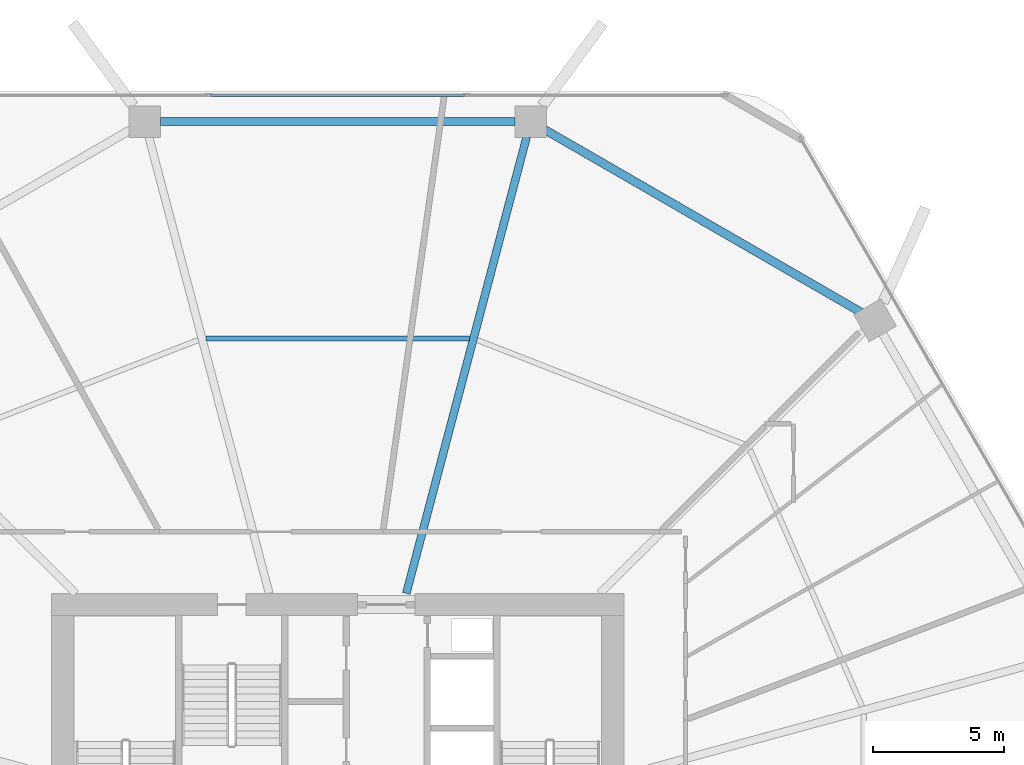
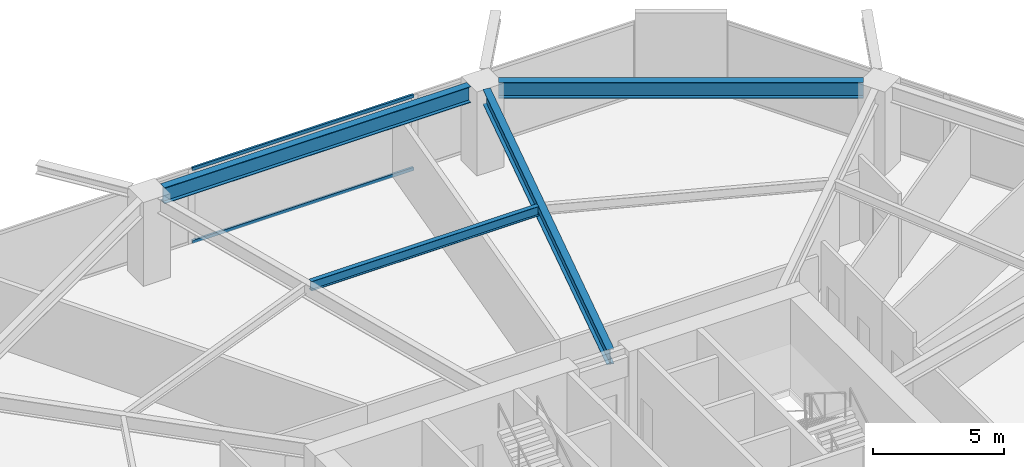
# One storey, part 18 of 25: 4 beams, 2 members, 1 element without a shape of its own.
"""IFC4 building model written with IfcOpenShell, lengths in metres."""

from ifc_helpers import new_model, si_unit, direction, frame, origin, origin_2d, place, context, subcontext, project, spatial, hollow_rectangle, i_section, extrude, material, material_profile, profile_set, type_object, element, aggregate, save


model = new_model("IFC4")

# Units and contexts
model_context = context("Model", 3, precision=1e-05, world=origin(), true_north=direction((0.0, 1.0)))
body_context = subcontext(model_context, "Body", "Model", "MODEL_VIEW")
ifc_project = project(units=[si_unit("LENGTHUNIT", "METRE"), si_unit("AREAUNIT", "SQUARE_METRE"), si_unit("VOLUMEUNIT", "CUBIC_METRE"), si_unit("PLANEANGLEUNIT", "RADIAN"), si_unit("MASSUNIT", "GRAM", prefix="KILO")], contexts=[model_context])

# Site, building, storey
site_placement = place(None, origin())
site = spatial("IfcSite", under=ifc_project, at=site_placement, CompositionType="ELEMENT")
building_placement = place(site_placement, origin())
building = spatial("IfcBuilding", under=site, at=building_placement, Name="Zuhravey Tower", CompositionType="ELEMENT")
storey_placement = place(building_placement, frame((0.0, 0.0, 20.39990234375)))
storey = spatial("IfcBuildingStorey", under=building, at=storey_placement, Name="L05", CompositionType="ELEMENT", Elevation=20.39990234375)

# Curtain wall, members
ifc_material_1 = material(Name="Thermally broken anodised aluminium", Category="aluminium")
curtain_wall_type = type_object("IfcCurtainWallType", Name="School Low-E Unitised Curtain Wall CW1", PredefinedType="NOTDEFINED", material=ifc_material_1)
curtain_wall_placement = place(storey_placement, origin())
curtain_wall = element("IfcCurtainWall", 1, at=curtain_wall_placement, inside=storey, type_object=curtain_wall_type, Name="L05 CW1 CW-L05-F2-1", PredefinedType="NOTDEFINED")
ifc_material_2 = material(Name="Anodised aluminium", Category="aluminium")
ifc_material_profile_1 = material_profile(ifc_material_2, hollow_rectangle(XDim=0.090087890625, YDim=0.14990234375, WallThickness=0.0048828125, at=origin_2d()), Name="ALU-RHS-90x150x5")
ifc_profile_set_1 = profile_set([ifc_material_profile_1], Name="Anodised aluminium")
member_type = type_object("IfcMemberType", Name="Curtain-Wall Transom 90x150", PredefinedType="USERDEFINED", material=ifc_profile_set_1)
member_1_placement = place(storey_placement, frame((31.11181640625, 60.95849609375, 0.045166015625), z_axis=(1.0, 0.0, 0.0), x_axis=(0.0, 1.0, 0.0)))
member_1 = element("IfcMember", 2, at=member_1_placement, type_object=member_type, Name="CW1 transom 2.1", ObjectType="TRANSOM", PredefinedType="USERDEFINED", context=body_context, shape_type="SweptSolid", body=[
    extrude(hollow_rectangle(XDim=0.090087890625, YDim=0.14990234375, WallThickness=0.0048828125, at=origin_2d()), origin(), (0.0, 0.0, 1.0), 9.7763671875),
])
member_2_placement = place(storey_placement, frame((31.11181640625, 60.95849609375, 3.447021484375), z_axis=(1.0, 0.0, 0.0), x_axis=(0.0, 1.0, 0.0)))
member_2 = element("IfcMember", 3, at=member_2_placement, type_object=member_type, Name="CW1 transom 2.2", ObjectType="TRANSOM", PredefinedType="USERDEFINED", context=body_context, shape_type="SweptSolid", body=[
    extrude(hollow_rectangle(XDim=0.090087890625, YDim=0.14990234375, WallThickness=0.0048828125, at=origin_2d()), origin(), (0.0, 0.0, 1.0), 9.7763671875),
])
aggregate(curtain_wall, [member_1, member_2])

# Beams
ifc_material_3 = material(Name="Steel SM355", Category="steel")
ifc_material_profile_2 = material_profile(ifc_material_3, i_section(OverallWidth=0.320068359375, OverallDepth=0.75, WebThickness=0.013916015625, FlangeThickness=0.02490234375, at=origin_2d()), Name="H-750x320x14x25")
ifc_profile_set_2 = profile_set([ifc_material_profile_2], Name="Steel SM355")
beam_type_1 = type_object("IfcBeamType", Name="Perimeter Ring Beam H750x320", PredefinedType="BEAM", material=ifc_profile_set_2)
beam_1_placement = place(storey_placement, frame((55.996826171875, 52.658447265625, 3.545166015625), z_axis=(-0.866029969761, 0.499992091414, 0.0), x_axis=(-0.499992091414, -0.866029969761, 0.0)))
element("IfcBeam", 4, at=beam_1_placement, inside=storey, type_object=beam_type_1, Name="L05 PB1 BM-L05-PB-02", PredefinedType="BEAM", context=body_context, shape_type="SweptSolid", body=[
    extrude(i_section(OverallWidth=0.320068359375, OverallDepth=0.75, WebThickness=0.013916015625, FlangeThickness=0.02490234375, at=origin_2d()), origin(), (0.0, 0.0, 1.0), 13.977294921875),
])
beam_2_placement = place(storey_placement, frame((42.76708984375, 59.948486328125, 3.545166015625), z_axis=(-1.0, 0.0, 0.0), x_axis=(0.0, -1.0, 0.0)))
element("IfcBeam", 5, at=beam_2_placement, inside=storey, type_object=beam_type_1, Name="L05 PB1 BM-L05-PB-03", PredefinedType="BEAM", context=body_context, shape_type="SweptSolid", body=[
    extrude(i_section(OverallWidth=0.320068359375, OverallDepth=0.75, WebThickness=0.013916015625, FlangeThickness=0.02490234375, at=origin_2d()), origin(), (0.0, 0.0, 1.0), 13.5341796875),
])
ifc_material_profile_3 = material_profile(ifc_material_3, i_section(OverallWidth=0.300048828125, OverallDepth=0.699951171875, WebThickness=0.012939453125, FlangeThickness=0.02392578125, at=origin_2d()), Name="H-700x300x13x24")
ifc_profile_set_3 = profile_set([ifc_material_profile_3], Name="Steel SM355")
beam_type_2 = type_object("IfcBeamType", Name="Radial Primary Girder H700x300", PredefinedType="BEAM", material=ifc_profile_set_3)
beam_3_placement = place(storey_placement, frame((38.617919921875, 41.927978515625, 3.570068359375), z_axis=(0.254989720435, 0.966943763862, 0.0), x_axis=(-0.966943763862, 0.254989720435, 0.0)))
element("IfcBeam", 6, at=beam_3_placement, inside=storey, type_object=beam_type_2, Name="L05 RG1 BM-L05-RAD-03", PredefinedType="BEAM", context=body_context, shape_type="SweptSolid", body=[
    extrude(i_section(OverallWidth=0.300048828125, OverallDepth=0.699951171875, WebThickness=0.012939453125, FlangeThickness=0.02392578125, at=origin_2d()), origin(), (0.0, 0.0, 1.0), 18.03369140625),
])
ifc_material_profile_4 = material_profile(ifc_material_3, i_section(OverallWidth=0.199951171875, OverallDepth=0.449951171875, WebThickness=0.009033203125, FlangeThickness=0.013916015625, at=origin_2d()), Name="H-450x200x9x14")
ifc_profile_set_4 = profile_set([ifc_material_profile_4], Name="Steel SM355")
beam_type_3 = type_object("IfcBeamType", Name="Secondary Floor Joist H450x200", PredefinedType="JOIST", material=ifc_profile_set_4)
beam_4_placement = place(storey_placement, frame((41.030029296875, 51.6591796875, 3.695068359375), z_axis=(-1.0, 0.0, 0.0), x_axis=(0.0, -1.0, 0.0)))
element("IfcBeam", 7, at=beam_4_placement, inside=storey, type_object=beam_type_3, Name="L05 SJ1 BM-L05-SJ-03-1", PredefinedType="JOIST", context=body_context, shape_type="SweptSolid", body=[
    extrude(i_section(OverallWidth=0.199951171875, OverallDepth=0.449951171875, WebThickness=0.009033203125, FlangeThickness=0.013916015625, at=origin_2d()), origin(), (0.0, 0.0, 1.0), 10.06005859375),
])

save(model, "model.ifc")
